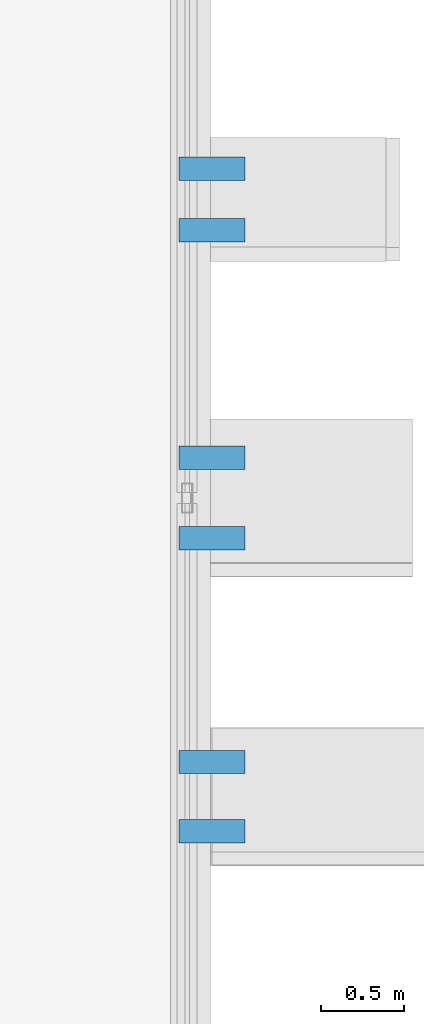
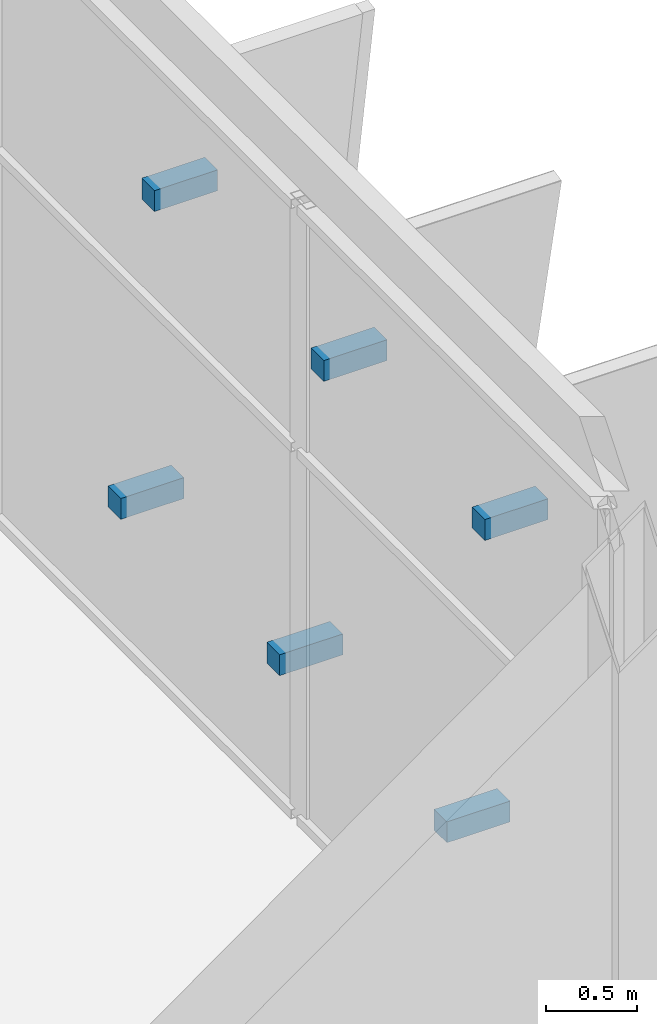
# One storey, part 125 of 151: 6 discrete accessories.
"""IFC4 building model written with IfcOpenShell, lengths in metres."""

from ifc_helpers import new_model, si_unit, direction, frame, origin, origin_2d, place, context, subcontext, project, spatial, rectangle, extrude, material, type_object, element, save


model = new_model("IFC4")

# Units and contexts
model_context = context("Model", 3, precision=1e-05, world=origin(), true_north=direction((0.0, 1.0)))
body_context = subcontext(model_context, "Body", "Model", "MODEL_VIEW")
ifc_project = project(units=[si_unit("LENGTHUNIT", "METRE"), si_unit("AREAUNIT", "SQUARE_METRE"), si_unit("VOLUMEUNIT", "CUBIC_METRE"), si_unit("PLANEANGLEUNIT", "RADIAN"), si_unit("MASSUNIT", "GRAM", prefix="KILO")], contexts=[model_context])

# Site, building, storey
site_placement = place(None, origin())
site = spatial("IfcSite", under=ifc_project, at=site_placement, CompositionType="ELEMENT")
building_placement = place(site_placement, origin())
building = spatial("IfcBuilding", under=site, at=building_placement, Name="Celestram Park Convention Centre", CompositionType="ELEMENT")
storey_placement = place(building_placement, frame((0.0, 0.0, 10.800048828125)))
storey = spatial("IfcBuildingStorey", under=building, at=storey_placement, Name="L02", CompositionType="ELEMENT", Elevation=10.800048828125)

# Discrete accessories
ifc_material = material(Name="Steel ASTM A500 Grade C", Category="steel")
discrete_accessory_type = type_object("IfcDiscreteAccessoryType", Name="ARC-BRK-OUT400", PredefinedType="BRACKET", material=ifc_material)
for number, where, z_axis, x_axis, name in (
    (1, (216.14990234375, 120.78515625, 0.859375), (0.0, 0.0, 1.0), (1.0, 0.0, 0.0), "Solar fin outrigger bracket BK-L02-1093"),
    (2, (216.14990234375, 120.414794921875, 3.14453125), (0.0, 0.0, 1.0), (1.0, 0.0, 0.0), "Solar fin outrigger bracket BK-L02-1094"),
    (3, (216.14990234375, 119.04248046875, 0.8701171875), (0.0, 0.0, 1.0), (1.0, 0.0, 0.0), "Solar fin outrigger bracket BK-L02-1095"),
    (4, (216.14990234375, 118.557373046875, 3.1337890625), (0.0, 0.0, 1.0), (1.0, 0.0, 0.0), "Solar fin outrigger bracket BK-L02-1096"),
    (5, (216.14990234375, 117.208984375, 0.86328125), (0.0, 0.0, 1.0), (1.0, 0.0, 0.0), "Solar fin outrigger bracket BK-L02-1097"),
    (6, (216.14990234375, 116.791015625, 3.140625), (0.0, 0.0, 1.0), (1.0, 0.0, 0.0), "Solar fin outrigger bracket BK-L02-1098"),
):
    element("IfcDiscreteAccessory", number, at=place(storey_placement, frame(where, z_axis=z_axis, x_axis=x_axis)), inside=storey, type_object=discrete_accessory_type, Name=name, PredefinedType="BRACKET", context=body_context, shape_type="SweptSolid", body=[
        extrude(rectangle(XDim=0.39990234375, YDim=0.139892578125, at=origin_2d()), origin(), (0.0, 0.0, 1.0), 0.139892578125),
    ])

save(model, "model.ifc")
